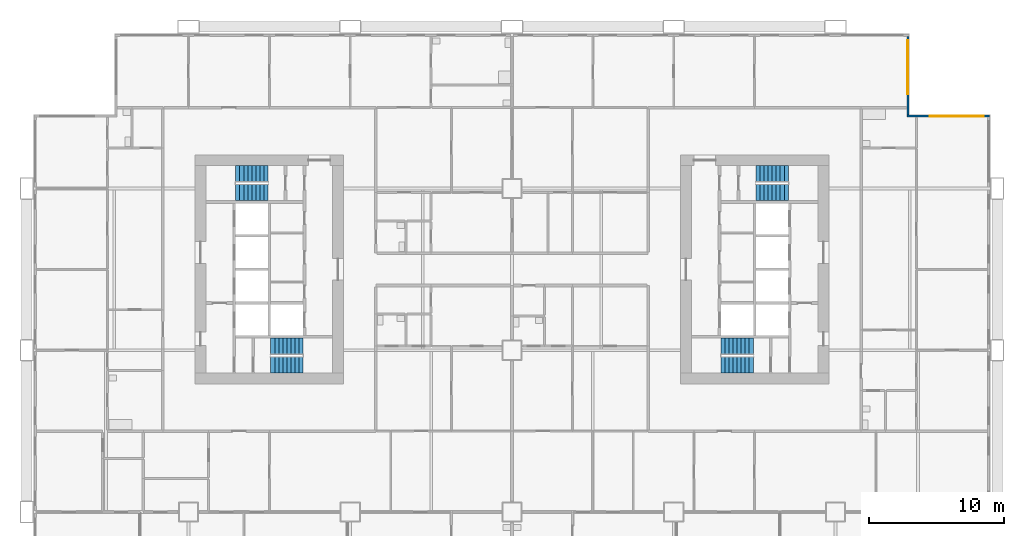
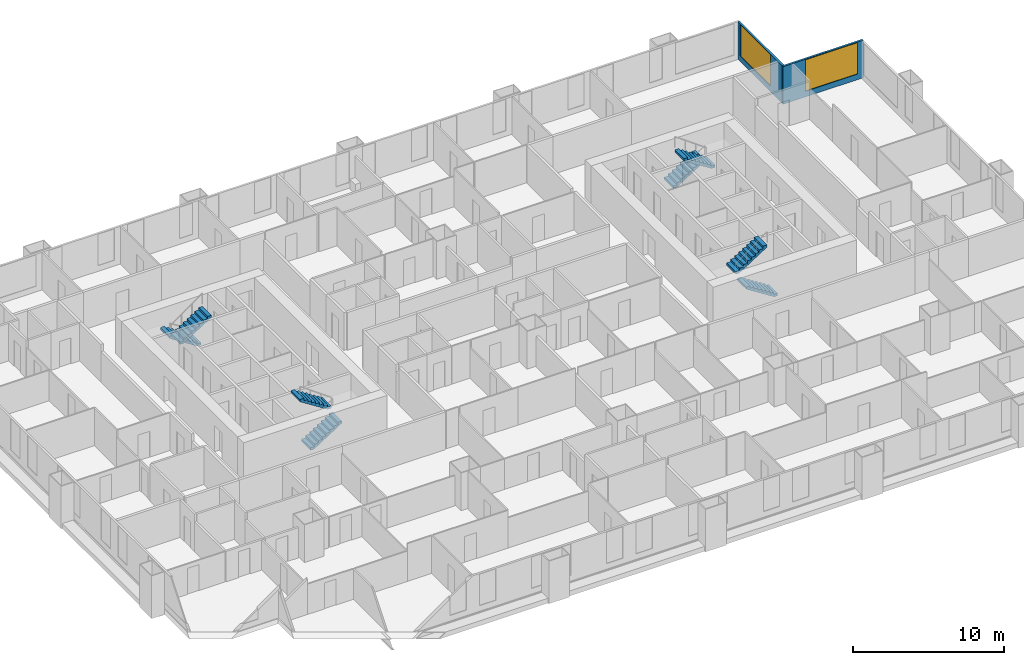
# One storey, part 12 of 14: 8 stair flights, 2 walls, 2 windows, 2 openings, 4 elements without a shape of their own.
"""IFC4 building model written with IfcOpenShell, lengths in metres."""

import ifcopenshell
import ifcopenshell.guid

model = None  # the IFC model being written
_history = None  # IfcOwnerHistory: only IFC2X3 demands one
_inside = {}  # id of a spatial element -> (the spatial element, [elements in it])
_under = {}  # id of a project, library or spatial element -> (it, [spatial elements below it])
_declared = {}  # id of a project -> (the project, [libraries it declares])
_typed = {}  # id of a type object -> (the type object, [elements of that type])
_made_of = {}  # id of a material, layer set ... -> (it, [elements and type objects made of it])


def new_model(schema):
    """Start an empty IFC model of exactly this schema.

    Asked for "IFC4X3", IfcOpenShell would pick the latest addendum, in which some entities
    have other attributes; the version numbers below select the first issue.
    IFC2X3 requires an IfcOwnerHistory on every rooted entity: one is made here for all.
    """
    global model, _history
    if schema == "IFC4X3":
        model = ifcopenshell.file(schema_version=(4, 3, 0, 0))
    else:
        model = ifcopenshell.file(schema=schema)
    _inside.clear()
    _under.clear()
    _declared.clear()
    _typed.clear()
    _made_of.clear()
    _history = None
    if model.schema == "IFC2X3":
        org = make("IfcOrganization", Name="unknown")
        user = make(
            "IfcPersonAndOrganization",
            ThePerson=make("IfcPerson", FamilyName="unknown"),
            TheOrganization=org,
        )
        app = make(
            "IfcApplication",
            ApplicationDeveloper=org,
            Version="unknown",
            ApplicationFullName="unknown",
            ApplicationIdentifier="unknown",
        )
        _history = make(
            "IfcOwnerHistory",
            OwningUser=user,
            OwningApplication=app,
            ChangeAction="ADDED",
            CreationDate=0,
        )
    return model


def make(cls, **values):
    """One entity of the class cls with the attributes given. An attribute that is None is left unset."""
    return model.create_entity(
        cls, **{name: value for name, value in values.items() if value is not None}
    )


def rooted(cls, **values):
    """An entity with a GlobalId (a new one), such as an element, a storey or a relation."""
    return make(cls, GlobalId=ifcopenshell.guid.new(), OwnerHistory=_history, **values)


def si_unit(unit_type, name, prefix=None):
    """IfcSIUnit, for example si_unit("LENGTHUNIT", "METRE", prefix="MILLI")."""
    return make("IfcSIUnit", UnitType=unit_type, Prefix=prefix, Name=name)


def assignment(units):
    """IfcUnitAssignment: the units of a project."""
    return None if units is None else make("IfcUnitAssignment", Units=units)


def point(xyz):
    """IfcCartesianPoint."""
    return None if xyz is None else make("IfcCartesianPoint", Coordinates=xyz)


def direction(xyz):
    """IfcDirection."""
    return None if xyz is None else make("IfcDirection", DirectionRatios=xyz)


def frame(location, z_axis=None, x_axis=None):
    """IfcAxis2Placement3D, a coordinate frame: its origin and axes. An axis left out is left unset."""
    return make(
        "IfcAxis2Placement3D",
        Location=point(location),
        Axis=direction(z_axis),
        RefDirection=direction(x_axis),
    )


def frame_2d(location, x_axis=None):
    """IfcAxis2Placement2D, a coordinate frame in the plane: its origin and x axis."""
    return make(
        "IfcAxis2Placement2D", Location=point(location), RefDirection=direction(x_axis)
    )


def origin():
    """The frame at (0, 0, 0) with its axes left unset."""
    return frame((0.0, 0.0, 0.0))


def place(relative_to, where):
    """IfcLocalPlacement: puts the frame where relative to a parent placement (None: the world)."""
    return make(
        "IfcLocalPlacement", PlacementRelTo=relative_to, RelativePlacement=where
    )


def context(
    kind, dimensions, precision=None, world=None, true_north=None, identifier=None
):
    """IfcGeometricRepresentationContext, for example the 3D "Model" context."""
    return make(
        "IfcGeometricRepresentationContext",
        ContextIdentifier=identifier,
        ContextType=kind,
        CoordinateSpaceDimension=dimensions,
        Precision=precision,
        WorldCoordinateSystem=world,
        TrueNorth=true_north,
    )


def subcontext(parent, identifier, kind, view, scale=None):
    """IfcGeometricRepresentationSubContext, for example "Body" below "Model"."""
    return make(
        "IfcGeometricRepresentationSubContext",
        ContextIdentifier=identifier,
        ContextType=kind,
        ParentContext=parent,
        TargetScale=scale,
        TargetView=view,
    )


def project(units=None, contexts=None):
    """IfcProject with its units and contexts."""
    return rooted(
        "IfcProject",
        Name="project",
        RepresentationContexts=contexts,
        UnitsInContext=assignment(units),
    )


def spatial(cls, under=None, at=None, **own):
    """A site, building, storey or space (cls), placed at a placement, below another one or the project."""
    s = rooted(cls, ObjectPlacement=at, **own)
    if under is not None:
        _under.setdefault(under.id(), (under, []))[1].append(s)
    return s


def polyline(points):
    """IfcPolyline through the points."""
    return make("IfcPolyline", Points=[point(p) for p in points])


def profile(cls, at=None, kind="AREA", **sizes):
    """A parametric profile (cls). Its sizes go by their IFC names, for example OverallWidth=200.0."""
    return make(cls, ProfileType=kind, Position=at, **sizes)


def rectangle(**sizes):
    """IfcRectangleProfileDef."""
    return profile("IfcRectangleProfileDef", **sizes)


def outline(outer, holes=None, kind="AREA"):
    """IfcArbitraryClosedProfileDef: a profile drawn as a closed curve; with holes, ...WithVoids."""
    if holes is None:
        return make("IfcArbitraryClosedProfileDef", ProfileType=kind, OuterCurve=outer)
    return make(
        "IfcArbitraryProfileDefWithVoids",
        ProfileType=kind,
        OuterCurve=outer,
        InnerCurves=holes,
    )


def extrude(swept, where, along, depth):
    """IfcExtrudedAreaSolid: the profile swept, set in the frame where, extruded along a direction by depth."""
    return make(
        "IfcExtrudedAreaSolid",
        SweptArea=swept,
        Position=where,
        ExtrudedDirection=direction(along),
        Depth=depth,
    )


def shape(context_of_items, identifier, shape_type, items):
    """IfcShapeRepresentation: the items that make up one representation, for example the "Body"."""
    return make(
        "IfcShapeRepresentation",
        ContextOfItems=context_of_items,
        RepresentationIdentifier=identifier,
        RepresentationType=shape_type,
        Items=items,
    )


def material(Name=None, Category=None):
    """IfcMaterial."""
    return make("IfcMaterial", Name=Name, Category=Category)


def layer(
    of_material, thickness, ventilated=None, Name=None, Category=None, Priority=None
):
    """IfcMaterialLayer: one layer of a wall or slab, of a material (None: an air gap)."""
    return make(
        "IfcMaterialLayer",
        Material=of_material,
        LayerThickness=thickness,
        IsVentilated=ventilated,
        Name=Name,
        Category=Category,
        Priority=Priority,
    )


def layer_set(layers, Name=None):
    """IfcMaterialLayerSet."""
    return make("IfcMaterialLayerSet", MaterialLayers=layers, LayerSetName=Name)


def made_of(thing, what):
    """Note that an element or type object is made of a material, layer set ...; save() writes the relation."""
    if what is not None:
        _made_of.setdefault(what.id(), (what, []))[1].append(thing)
    return thing


def type_object(cls, material=None, **own):
    """A type object (cls), such as IfcWallType, which elements share."""
    return made_of(rooted(cls, **own), material)


def element(
    cls,
    number,
    at=None,
    inside=None,
    cuts=None,
    type_object=None,
    material=None,
    context=None,
    identifier="Body",
    shape_type=None,
    held_by="IfcProductDefinitionShape",
    body=None,
    shapes=None,
    **own,
):
    """One element of the class cls, such as IfcWall. Its Tag is "e" and its number.

    at: its placement. inside: the storey or other place that contains it. cuts: it is an
    opening in that element (IfcRelVoidsElement). A single representation is given by context,
    identifier, shape_type and body (its items); several are given by shapes. held_by: the class
    of the entity that holds the representations. save() writes the other relations.
    """
    e = rooted(cls, Tag="e%d" % number, ObjectPlacement=at, **own)
    if body is not None:
        shapes = [shape(context, identifier, shape_type, body)]
    if shapes is not None:
        e.Representation = make(held_by, Representations=shapes)
    if inside is not None:
        _inside.setdefault(inside.id(), (inside, []))[1].append(e)
    if cuts is not None:
        rooted(
            "IfcRelVoidsElement", RelatingBuildingElement=cuts, RelatedOpeningElement=e
        )
    if type_object is not None:
        _typed.setdefault(type_object.id(), (type_object, []))[1].append(e)
    return made_of(e, material)


def fill(opening, filler):
    """IfcRelFillsElement: the door or window that sits in an opening."""
    return rooted(
        "IfcRelFillsElement",
        RelatingOpeningElement=opening,
        RelatedBuildingElement=filler,
    )


def aggregate(whole, parts):
    """IfcRelAggregates: a whole, such as a stair, and the parts it consists of."""
    return rooted("IfcRelAggregates", RelatingObject=whole, RelatedObjects=parts)


def save(model, path):
    """Write the relations noted so far, then the file.

    IfcRelAggregates (storeys below a building ...), IfcRelContainedInSpatialStructure (elements
    in a storey), IfcRelDefinesByType, IfcRelAssociatesMaterial and IfcRelDeclares: one each for
    every whole, place, type object, material and project.
    """
    for whole, parts in _under.values():
        aggregate(whole, parts)
    for where, things in _inside.values():
        rooted(
            "IfcRelContainedInSpatialStructure",
            RelatedElements=things,
            RelatingStructure=where,
        )
    for kind, things in _typed.values():
        rooted("IfcRelDefinesByType", RelatedObjects=things, RelatingType=kind)
    for what, things in _made_of.values():
        rooted("IfcRelAssociatesMaterial", RelatedObjects=things, RelatingMaterial=what)
    for by, libraries in _declared.values():
        rooted("IfcRelDeclares", RelatingContext=by, RelatedDefinitions=libraries)
    model.write(path)


model = new_model("IFC4")

# Units and contexts
model_context = context("Model", 3, precision=1e-05, world=origin(), true_north=direction((0.0, 1.0)))
body_context = subcontext(model_context, "Body", "Model", "MODEL_VIEW")
ifc_project = project(units=[si_unit("LENGTHUNIT", "METRE"), si_unit("AREAUNIT", "SQUARE_METRE"), si_unit("VOLUMEUNIT", "CUBIC_METRE"), si_unit("PLANEANGLEUNIT", "RADIAN"), si_unit("MASSUNIT", "GRAM", prefix="KILO")], contexts=[model_context])

# Site, building, storey
site_placement = place(None, origin())
site = spatial("IfcSite", under=ifc_project, at=site_placement, CompositionType="ELEMENT")
building_placement = place(site_placement, origin())
building = spatial("IfcBuilding", under=site, at=building_placement, Name="Kitamizu Gate Tower and Museum", CompositionType="ELEMENT")
storey_placement = place(building_placement, frame((0.0, 0.0, 64.5)))
storey = spatial("IfcBuildingStorey", under=building, at=storey_placement, Name="L15", CompositionType="ELEMENT", Elevation=64.5)

# Wall, opening, window
ifc_material_1 = material(Name="Bronze anodised aluminium frame with insulated spandrel and tinted glass", Category="aluminium")
ifc_layer = layer(ifc_material_1, 0.14990234375)
ifc_layer_set = layer_set([ifc_layer], Name="Bronze anodised aluminium frame with insulated spandrel and tinted glass")
wall_type = type_object("IfcWallType", Name="WINDOW WALL 150 BRONZE FRAME EI 30", PredefinedType="ELEMENTEDWALL", material=ifc_layer_set)
wall_1_placement = place(storey_placement, frame((65.2900390625, 41.364990234375, 0.0), z_axis=(0.0, 0.0, 1.0), x_axis=(1.0, 0.0, 0.0)))
wall_1 = element("IfcWall", 1, at=wall_1_placement, inside=storey, type_object=wall_type, Name="Window wall north L15", PredefinedType="ELEMENTEDWALL", context=body_context, shape_type="SweptSolid", body=[
    extrude(rectangle(XDim=6.14990234375, YDim=0.14990234375, at=frame_2d((3.074951171875, 0.0))), origin(), (0.0, 0.0, 1.0), 3.050048828125),
])
opening_1_placement = place(wall_1_placement, frame((1.7099609375, 0.0, 0.449951171875)))
opening_1 = element("IfcOpeningElement", 2, at=opening_1_placement, cuts=wall_1, Name="Opening W16", PredefinedType="OPENING", context=body_context, shape_type="SweptSolid", body=[
    extrude(rectangle(XDim=4.0, YDim=2.550048828125, at=frame_2d((2.0, 1.27490234375))), frame((0.0, 0.0849609375, 0.0), z_axis=(0.0, -1.0, 0.0), x_axis=(1.0, 0.0, 0.0)), (0.0, 0.0, 1.0), 0.169921875),
])
ifc_material_2 = material(Name="Bronze anodised aluminium frame, tinted triple glazing", Category="aluminium")
window_type = type_object("IfcWindowType", Name="WINDOW 4000 x 2550 SILL 450", PartitioningType="SINGLE_PANEL", PredefinedType="WINDOW", material=ifc_material_2)
window_1_placement = place(opening_1_placement, origin())
window_1 = element("IfcWindow", 3, at=window_1_placement, inside=storey, type_object=window_type, Name="Window W16 L15", OverallHeight=2.550048828125, OverallWidth=4.0, PartitioningType="SINGLE_PANEL", PredefinedType="WINDOW", context=body_context, shape_type="SweptSolid", body=[
    extrude(rectangle(XDim=4.0, YDim=2.550048828125, at=frame_2d((2.0, 1.27490234375))), frame((0.0, 0.030029296875, 0.0), z_axis=(0.0, -1.0, 0.0), x_axis=(1.0, 0.0, 0.0)), (0.0, 0.0, 1.0), 0.06005859375),
])
fill(opening_1, window_1)

wall_2_placement = place(storey_placement, frame((65.364990234375, 41.43994140625, 0.0), z_axis=(0.0, 0.0, 1.0), x_axis=(0.0, 1.0, 0.0)))
wall_2 = element("IfcWall", 4, at=wall_2_placement, inside=storey, type_object=wall_type, Name="Window wall east L15", PredefinedType="ELEMENTEDWALL", context=body_context, shape_type="SweptSolid", body=[
    extrude(rectangle(XDim=5.85009765625, YDim=0.14990234375, at=frame_2d((2.925048828125, 0.0))), origin(), (0.0, 0.0, 1.0), 3.050048828125),
])
opening_2_placement = place(wall_2_placement, frame((1.56005859375, 0.0, 0.449951171875)))
opening_2 = element("IfcOpeningElement", 5, at=opening_2_placement, cuts=wall_2, Name="Opening W16", PredefinedType="OPENING", context=body_context, shape_type="SweptSolid", body=[
    extrude(rectangle(XDim=4.0, YDim=2.550048828125, at=frame_2d((2.0, 1.27490234375))), frame((0.0, 0.0849609375, 0.0), z_axis=(0.0, -1.0, 0.0), x_axis=(1.0, 0.0, 0.0)), (0.0, 0.0, 1.0), 0.169921875),
])
window_2_placement = place(opening_2_placement, origin())
window_2 = element("IfcWindow", 6, at=window_2_placement, inside=storey, type_object=window_type, Name="Window W16 L15", OverallHeight=2.550048828125, OverallWidth=4.0, PartitioningType="SINGLE_PANEL", PredefinedType="WINDOW", context=body_context, shape_type="SweptSolid", body=[
    extrude(rectangle(XDim=4.0, YDim=2.550048828125, at=frame_2d((2.0, 1.27490234375))), frame((0.0, 0.030029296875, 0.0), z_axis=(0.0, -1.0, 0.0), x_axis=(1.0, 0.0, 0.0)), (0.0, 0.0, 1.0), 0.06005859375),
])
fill(opening_2, window_2)

# Stair, stair flights
ifc_material_3 = material(Name="Concrete Fc42", Category="concrete")
stair_type = type_object("IfcStairType", Name="Exit stair 1200 wide 192 rise 300 going", PredefinedType="HALF_TURN_STAIR", material=ifc_material_3)
stair_1_placement = place(storey_placement, origin())
stair_1 = element("IfcStair", 7, at=stair_1_placement, inside=storey, type_object=stair_type, Name="Exit stair ST1", PredefinedType="HALF_TURN_STAIR")
ifc_material_4 = material(Name="Concrete Fc42", Category="concrete")
stair_flight_type = type_object("IfcStairFlightType", Name="Stair flight 1200 wide 192 rise 300 going", PredefinedType="STRAIGHT", material=ifc_material_4)
stair_flight_1_placement = place(storey_placement, frame((18.10009765625, 22.89990234375, 0.0), z_axis=(0.0, 0.0, 1.0), x_axis=(1.0, 0.0, 0.0)))
stair_flight_1 = element("IfcStairFlight", 8, at=stair_flight_1_placement, type_object=stair_flight_type, Name="ST1 flight 1", NumberOfRisers=9, NumberOfTreads=8, PredefinedType="STRAIGHT", RiserHeight=0.191666667, TreadLength=0.3, context=body_context, shape_type="SweptSolid", body=[
    extrude(outline(polyline([(0.0, 0.0), (0.0, 0.191650390625), (0.300048828125, 0.191650390625), (0.300048828125, 0.38330078125), (0.60009765625, 0.38330078125), (0.60009765625, 0.574951171875), (0.89990234375, 0.574951171875), (0.89990234375, 0.7666015625), (1.199951171875, 0.7666015625), (1.199951171875, 0.958251953125), (1.5, 0.958251953125), (1.5, 1.14990234375), (1.800048828125, 1.14990234375), (1.800048828125, 1.341552734375), (2.10009765625, 1.341552734375), (2.10009765625, 1.533447265625), (2.39990234375, 1.533447265625), (2.39990234375, 1.72509765625), (2.39990234375, 1.35546875), (0.2783203125, 0.0), (0.0, 0.0)])), frame((0.0, 0.60009765625, 0.0), z_axis=(0.0, -1.0, 0.0), x_axis=(1.0, 0.0, 0.0)), (0.0, 0.0, 1.0), 1.199951171875),
])
stair_flight_2_placement = place(storey_placement, frame((20.5, 24.300048828125, 1.72509765625), z_axis=(0.0, 0.0, 1.0), x_axis=(-1.0, 0.0, 0.0)))
stair_flight_2 = element("IfcStairFlight", 9, at=stair_flight_2_placement, type_object=stair_flight_type, Name="ST1 flight 2", NumberOfRisers=9, NumberOfTreads=8, PredefinedType="STRAIGHT", RiserHeight=0.191666667, TreadLength=0.3, context=body_context, shape_type="SweptSolid", body=[
    extrude(outline(polyline([(0.0, 0.0), (0.0, 0.191650390625), (0.300048828125, 0.191650390625), (0.300048828125, 0.38330078125), (0.60009765625, 0.38330078125), (0.60009765625, 0.574951171875), (0.89990234375, 0.574951171875), (0.89990234375, 0.7666015625), (1.199951171875, 0.7666015625), (1.199951171875, 0.958251953125), (1.5, 0.958251953125), (1.5, 1.14990234375), (1.800048828125, 1.14990234375), (1.800048828125, 1.341552734375), (2.10009765625, 1.341552734375), (2.10009765625, 1.533447265625), (2.39990234375, 1.533447265625), (2.39990234375, 1.72509765625), (2.39990234375, 1.35546875), (0.2783203125, 0.0), (0.0, 0.0)])), frame((0.0, 0.60009765625, 0.0), z_axis=(0.0, -1.0, 0.0), x_axis=(1.0, 0.0, 0.0)), (0.0, 0.0, 1.0), 1.199951171875),
])
aggregate(stair_1, [stair_flight_1, stair_flight_2])

stair_2_placement = place(storey_placement, origin())
stair_2 = element("IfcStair", 10, at=stair_2_placement, inside=storey, type_object=stair_type, Name="Exit stair ST2", PredefinedType="HALF_TURN_STAIR")
stair_flight_3_placement = place(storey_placement, frame((17.89990234375, 37.10009765625, 0.0), z_axis=(0.0, 0.0, 1.0), x_axis=(-1.0, 0.0, 0.0)))
stair_flight_3 = element("IfcStairFlight", 11, at=stair_flight_3_placement, type_object=stair_flight_type, Name="ST2 flight 1", NumberOfRisers=9, NumberOfTreads=8, PredefinedType="STRAIGHT", RiserHeight=0.191666667, TreadLength=0.3, context=body_context, shape_type="SweptSolid", body=[
    extrude(outline(polyline([(0.0, 0.0), (0.0, 0.191650390625), (0.300048828125, 0.191650390625), (0.300048828125, 0.38330078125), (0.60009765625, 0.38330078125), (0.60009765625, 0.574951171875), (0.89990234375, 0.574951171875), (0.89990234375, 0.7666015625), (1.199951171875, 0.7666015625), (1.199951171875, 0.958251953125), (1.5, 0.958251953125), (1.5, 1.14990234375), (1.800048828125, 1.14990234375), (1.800048828125, 1.341552734375), (2.10009765625, 1.341552734375), (2.10009765625, 1.533447265625), (2.39990234375, 1.533447265625), (2.39990234375, 1.72509765625), (2.39990234375, 1.35546875), (0.2783203125, 0.0), (0.0, 0.0)])), frame((0.0, 0.60009765625, 0.0), z_axis=(0.0, -1.0, 0.0), x_axis=(1.0, 0.0, 0.0)), (0.0, 0.0, 1.0), 1.199951171875),
])
stair_flight_4_placement = place(storey_placement, frame((15.5, 35.699951171875, 1.72509765625), z_axis=(0.0, 0.0, 1.0), x_axis=(1.0, 0.0, 0.0)))
stair_flight_4 = element("IfcStairFlight", 12, at=stair_flight_4_placement, type_object=stair_flight_type, Name="ST2 flight 2", NumberOfRisers=9, NumberOfTreads=8, PredefinedType="STRAIGHT", RiserHeight=0.191666667, TreadLength=0.3, context=body_context, shape_type="SweptSolid", body=[
    extrude(outline(polyline([(0.0, 0.0), (0.0, 0.191650390625), (0.300048828125, 0.191650390625), (0.300048828125, 0.38330078125), (0.60009765625, 0.38330078125), (0.60009765625, 0.574951171875), (0.89990234375, 0.574951171875), (0.89990234375, 0.7666015625), (1.199951171875, 0.7666015625), (1.199951171875, 0.958251953125), (1.5, 0.958251953125), (1.5, 1.14990234375), (1.800048828125, 1.14990234375), (1.800048828125, 1.341552734375), (2.10009765625, 1.341552734375), (2.10009765625, 1.533447265625), (2.39990234375, 1.533447265625), (2.39990234375, 1.72509765625), (2.39990234375, 1.35546875), (0.2783203125, 0.0), (0.0, 0.0)])), frame((0.0, 0.60009765625, 0.0), z_axis=(0.0, -1.0, 0.0), x_axis=(1.0, 0.0, 0.0)), (0.0, 0.0, 1.0), 1.199951171875),
])
aggregate(stair_2, [stair_flight_3, stair_flight_4])

stair_3_placement = place(storey_placement, origin())
stair_3 = element("IfcStair", 13, at=stair_3_placement, inside=storey, type_object=stair_type, Name="Exit stair ST3", PredefinedType="HALF_TURN_STAIR")
stair_flight_5_placement = place(storey_placement, frame((53.89990234375, 22.89990234375, 0.0), z_axis=(0.0, 0.0, 1.0), x_axis=(-1.0, 0.0, 0.0)))
stair_flight_5 = element("IfcStairFlight", 14, at=stair_flight_5_placement, type_object=stair_flight_type, Name="ST3 flight 1", NumberOfRisers=9, NumberOfTreads=8, PredefinedType="STRAIGHT", RiserHeight=0.191666667, TreadLength=0.3, context=body_context, shape_type="SweptSolid", body=[
    extrude(outline(polyline([(0.0, 0.0), (0.0, 0.191650390625), (0.300048828125, 0.191650390625), (0.300048828125, 0.38330078125), (0.60009765625, 0.38330078125), (0.60009765625, 0.574951171875), (0.89990234375, 0.574951171875), (0.89990234375, 0.7666015625), (1.199951171875, 0.7666015625), (1.199951171875, 0.958251953125), (1.5, 0.958251953125), (1.5, 1.14990234375), (1.800048828125, 1.14990234375), (1.800048828125, 1.341552734375), (2.10009765625, 1.341552734375), (2.10009765625, 1.533447265625), (2.39990234375, 1.533447265625), (2.39990234375, 1.72509765625), (2.39990234375, 1.35546875), (0.2783203125, 0.0), (0.0, 0.0)])), frame((0.0, 0.60009765625, 0.0), z_axis=(0.0, -1.0, 0.0), x_axis=(1.0, 0.0, 0.0)), (0.0, 0.0, 1.0), 1.199951171875),
])
stair_flight_6_placement = place(storey_placement, frame((51.5, 24.300048828125, 1.72509765625), z_axis=(0.0, 0.0, 1.0), x_axis=(1.0, 0.0, 0.0)))
stair_flight_6 = element("IfcStairFlight", 15, at=stair_flight_6_placement, type_object=stair_flight_type, Name="ST3 flight 2", NumberOfRisers=9, NumberOfTreads=8, PredefinedType="STRAIGHT", RiserHeight=0.191666667, TreadLength=0.3, context=body_context, shape_type="SweptSolid", body=[
    extrude(outline(polyline([(0.0, 0.0), (0.0, 0.191650390625), (0.300048828125, 0.191650390625), (0.300048828125, 0.38330078125), (0.60009765625, 0.38330078125), (0.60009765625, 0.574951171875), (0.89990234375, 0.574951171875), (0.89990234375, 0.7666015625), (1.199951171875, 0.7666015625), (1.199951171875, 0.958251953125), (1.5, 0.958251953125), (1.5, 1.14990234375), (1.800048828125, 1.14990234375), (1.800048828125, 1.341552734375), (2.10009765625, 1.341552734375), (2.10009765625, 1.533447265625), (2.39990234375, 1.533447265625), (2.39990234375, 1.72509765625), (2.39990234375, 1.35546875), (0.2783203125, 0.0), (0.0, 0.0)])), frame((0.0, 0.60009765625, 0.0), z_axis=(0.0, -1.0, 0.0), x_axis=(1.0, 0.0, 0.0)), (0.0, 0.0, 1.0), 1.199951171875),
])
aggregate(stair_3, [stair_flight_5, stair_flight_6])

stair_4_placement = place(storey_placement, origin())
stair_4 = element("IfcStair", 16, at=stair_4_placement, inside=storey, type_object=stair_type, Name="Exit stair ST4", PredefinedType="HALF_TURN_STAIR")
stair_flight_7_placement = place(storey_placement, frame((54.10009765625, 37.10009765625, 0.0), z_axis=(0.0, 0.0, 1.0), x_axis=(1.0, 0.0, 0.0)))
stair_flight_7 = element("IfcStairFlight", 17, at=stair_flight_7_placement, type_object=stair_flight_type, Name="ST4 flight 1", NumberOfRisers=9, NumberOfTreads=8, PredefinedType="STRAIGHT", RiserHeight=0.191666667, TreadLength=0.3, context=body_context, shape_type="SweptSolid", body=[
    extrude(outline(polyline([(0.0, 0.0), (0.0, 0.191650390625), (0.300048828125, 0.191650390625), (0.300048828125, 0.38330078125), (0.60009765625, 0.38330078125), (0.60009765625, 0.574951171875), (0.89990234375, 0.574951171875), (0.89990234375, 0.7666015625), (1.199951171875, 0.7666015625), (1.199951171875, 0.958251953125), (1.5, 0.958251953125), (1.5, 1.14990234375), (1.800048828125, 1.14990234375), (1.800048828125, 1.341552734375), (2.10009765625, 1.341552734375), (2.10009765625, 1.533447265625), (2.39990234375, 1.533447265625), (2.39990234375, 1.72509765625), (2.39990234375, 1.35546875), (0.2783203125, 0.0), (0.0, 0.0)])), frame((0.0, 0.60009765625, 0.0), z_axis=(0.0, -1.0, 0.0), x_axis=(1.0, 0.0, 0.0)), (0.0, 0.0, 1.0), 1.199951171875),
])
stair_flight_8_placement = place(storey_placement, frame((56.5, 35.699951171875, 1.72509765625), z_axis=(0.0, 0.0, 1.0), x_axis=(-1.0, 0.0, 0.0)))
stair_flight_8 = element("IfcStairFlight", 18, at=stair_flight_8_placement, type_object=stair_flight_type, Name="ST4 flight 2", NumberOfRisers=9, NumberOfTreads=8, PredefinedType="STRAIGHT", RiserHeight=0.191666667, TreadLength=0.3, context=body_context, shape_type="SweptSolid", body=[
    extrude(outline(polyline([(0.0, 0.0), (0.0, 0.191650390625), (0.300048828125, 0.191650390625), (0.300048828125, 0.38330078125), (0.60009765625, 0.38330078125), (0.60009765625, 0.574951171875), (0.89990234375, 0.574951171875), (0.89990234375, 0.7666015625), (1.199951171875, 0.7666015625), (1.199951171875, 0.958251953125), (1.5, 0.958251953125), (1.5, 1.14990234375), (1.800048828125, 1.14990234375), (1.800048828125, 1.341552734375), (2.10009765625, 1.341552734375), (2.10009765625, 1.533447265625), (2.39990234375, 1.533447265625), (2.39990234375, 1.72509765625), (2.39990234375, 1.35546875), (0.2783203125, 0.0), (0.0, 0.0)])), frame((0.0, 0.60009765625, 0.0), z_axis=(0.0, -1.0, 0.0), x_axis=(1.0, 0.0, 0.0)), (0.0, 0.0, 1.0), 1.199951171875),
])
aggregate(stair_4, [stair_flight_7, stair_flight_8])

save(model, "model.ifc")
